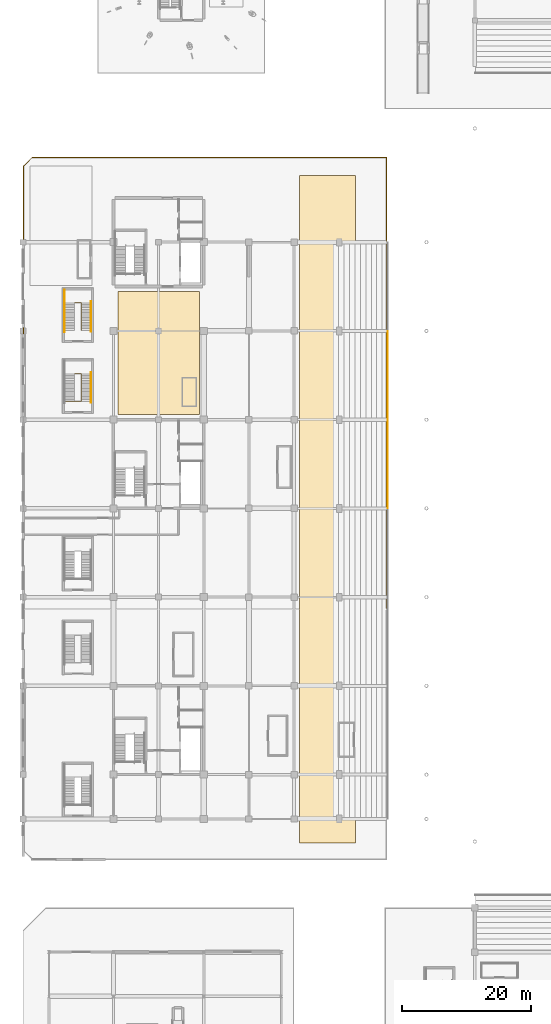
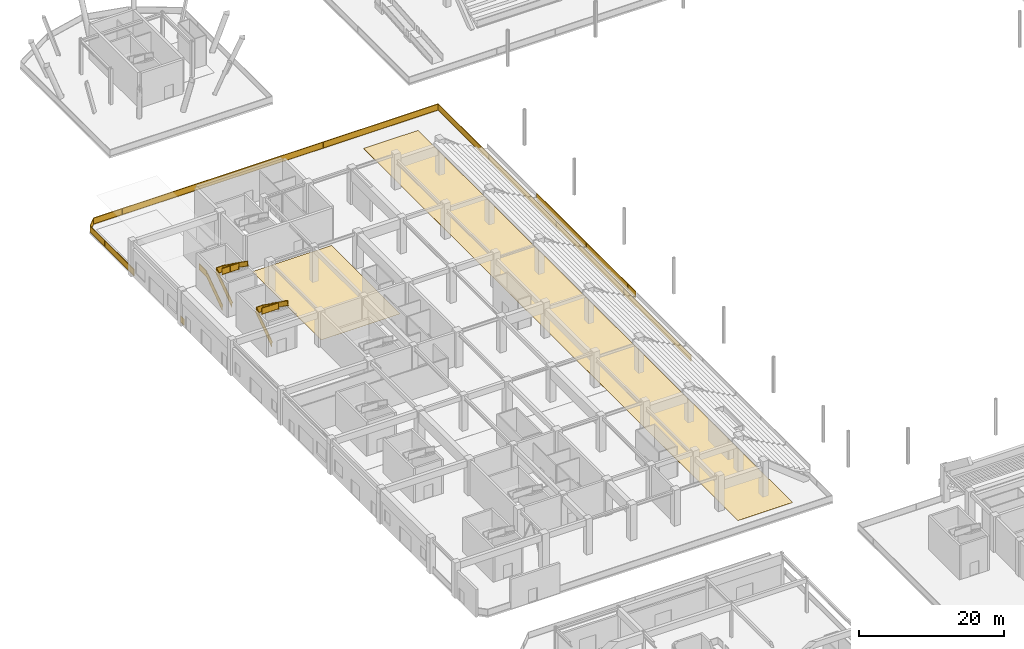
# One storey, part 62 of 73: 9 railings, 2 coverings.
"""IFC4 building model written with IfcOpenShell, lengths in metres."""

import ifcopenshell
import ifcopenshell.guid

model = None  # the IFC model being written
_history = None  # IfcOwnerHistory: only IFC2X3 demands one
_inside = {}  # id of a spatial element -> (the spatial element, [elements in it])
_under = {}  # id of a project, library or spatial element -> (it, [spatial elements below it])
_declared = {}  # id of a project -> (the project, [libraries it declares])
_typed = {}  # id of a type object -> (the type object, [elements of that type])
_made_of = {}  # id of a material, layer set ... -> (it, [elements and type objects made of it])


def new_model(schema):
    """Start an empty IFC model of exactly this schema.

    Asked for "IFC4X3", IfcOpenShell would pick the latest addendum, in which some entities
    have other attributes; the version numbers below select the first issue.
    IFC2X3 requires an IfcOwnerHistory on every rooted entity: one is made here for all.
    """
    global model, _history
    if schema == "IFC4X3":
        model = ifcopenshell.file(schema_version=(4, 3, 0, 0))
    else:
        model = ifcopenshell.file(schema=schema)
    _inside.clear()
    _under.clear()
    _declared.clear()
    _typed.clear()
    _made_of.clear()
    _history = None
    if model.schema == "IFC2X3":
        org = make("IfcOrganization", Name="unknown")
        user = make(
            "IfcPersonAndOrganization",
            ThePerson=make("IfcPerson", FamilyName="unknown"),
            TheOrganization=org,
        )
        app = make(
            "IfcApplication",
            ApplicationDeveloper=org,
            Version="unknown",
            ApplicationFullName="unknown",
            ApplicationIdentifier="unknown",
        )
        _history = make(
            "IfcOwnerHistory",
            OwningUser=user,
            OwningApplication=app,
            ChangeAction="ADDED",
            CreationDate=0,
        )
    return model


def make(cls, **values):
    """One entity of the class cls with the attributes given. An attribute that is None is left unset."""
    return model.create_entity(
        cls, **{name: value for name, value in values.items() if value is not None}
    )


def rooted(cls, **values):
    """An entity with a GlobalId (a new one), such as an element, a storey or a relation."""
    return make(cls, GlobalId=ifcopenshell.guid.new(), OwnerHistory=_history, **values)


def si_unit(unit_type, name, prefix=None):
    """IfcSIUnit, for example si_unit("LENGTHUNIT", "METRE", prefix="MILLI")."""
    return make("IfcSIUnit", UnitType=unit_type, Prefix=prefix, Name=name)


def assignment(units):
    """IfcUnitAssignment: the units of a project."""
    return None if units is None else make("IfcUnitAssignment", Units=units)


def point(xyz):
    """IfcCartesianPoint."""
    return None if xyz is None else make("IfcCartesianPoint", Coordinates=xyz)


def direction(xyz):
    """IfcDirection."""
    return None if xyz is None else make("IfcDirection", DirectionRatios=xyz)


def frame(location, z_axis=None, x_axis=None):
    """IfcAxis2Placement3D, a coordinate frame: its origin and axes. An axis left out is left unset."""
    return make(
        "IfcAxis2Placement3D",
        Location=point(location),
        Axis=direction(z_axis),
        RefDirection=direction(x_axis),
    )


def frame_2d(location, x_axis=None):
    """IfcAxis2Placement2D, a coordinate frame in the plane: its origin and x axis."""
    return make(
        "IfcAxis2Placement2D", Location=point(location), RefDirection=direction(x_axis)
    )


def origin():
    """The frame at (0, 0, 0) with its axes left unset."""
    return frame((0.0, 0.0, 0.0))


def origin_2d():
    """The frame at (0, 0) in the plane with its x axis left unset."""
    return frame_2d((0.0, 0.0))


def place(relative_to, where):
    """IfcLocalPlacement: puts the frame where relative to a parent placement (None: the world)."""
    return make(
        "IfcLocalPlacement", PlacementRelTo=relative_to, RelativePlacement=where
    )


def context(
    kind, dimensions, precision=None, world=None, true_north=None, identifier=None
):
    """IfcGeometricRepresentationContext, for example the 3D "Model" context."""
    return make(
        "IfcGeometricRepresentationContext",
        ContextIdentifier=identifier,
        ContextType=kind,
        CoordinateSpaceDimension=dimensions,
        Precision=precision,
        WorldCoordinateSystem=world,
        TrueNorth=true_north,
    )


def subcontext(parent, identifier, kind, view, scale=None):
    """IfcGeometricRepresentationSubContext, for example "Body" below "Model"."""
    return make(
        "IfcGeometricRepresentationSubContext",
        ContextIdentifier=identifier,
        ContextType=kind,
        ParentContext=parent,
        TargetScale=scale,
        TargetView=view,
    )


def project(units=None, contexts=None):
    """IfcProject with its units and contexts."""
    return rooted(
        "IfcProject",
        Name="project",
        RepresentationContexts=contexts,
        UnitsInContext=assignment(units),
    )


def spatial(cls, under=None, at=None, **own):
    """A site, building, storey or space (cls), placed at a placement, below another one or the project."""
    s = rooted(cls, ObjectPlacement=at, **own)
    if under is not None:
        _under.setdefault(under.id(), (under, []))[1].append(s)
    return s


def polyline(points):
    """IfcPolyline through the points."""
    return make("IfcPolyline", Points=[point(p) for p in points])


def profile(cls, at=None, kind="AREA", **sizes):
    """A parametric profile (cls). Its sizes go by their IFC names, for example OverallWidth=200.0."""
    return make(cls, ProfileType=kind, Position=at, **sizes)


def rectangle(**sizes):
    """IfcRectangleProfileDef."""
    return profile("IfcRectangleProfileDef", **sizes)


def outline(outer, holes=None, kind="AREA"):
    """IfcArbitraryClosedProfileDef: a profile drawn as a closed curve; with holes, ...WithVoids."""
    if holes is None:
        return make("IfcArbitraryClosedProfileDef", ProfileType=kind, OuterCurve=outer)
    return make(
        "IfcArbitraryProfileDefWithVoids",
        ProfileType=kind,
        OuterCurve=outer,
        InnerCurves=holes,
    )


def extrude(swept, where, along, depth):
    """IfcExtrudedAreaSolid: the profile swept, set in the frame where, extruded along a direction by depth."""
    return make(
        "IfcExtrudedAreaSolid",
        SweptArea=swept,
        Position=where,
        ExtrudedDirection=direction(along),
        Depth=depth,
    )


def shape(context_of_items, identifier, shape_type, items):
    """IfcShapeRepresentation: the items that make up one representation, for example the "Body"."""
    return make(
        "IfcShapeRepresentation",
        ContextOfItems=context_of_items,
        RepresentationIdentifier=identifier,
        RepresentationType=shape_type,
        Items=items,
    )


def material(Name=None, Category=None):
    """IfcMaterial."""
    return make("IfcMaterial", Name=Name, Category=Category)


def layer(
    of_material, thickness, ventilated=None, Name=None, Category=None, Priority=None
):
    """IfcMaterialLayer: one layer of a wall or slab, of a material (None: an air gap)."""
    return make(
        "IfcMaterialLayer",
        Material=of_material,
        LayerThickness=thickness,
        IsVentilated=ventilated,
        Name=Name,
        Category=Category,
        Priority=Priority,
    )


def layer_set(layers, Name=None):
    """IfcMaterialLayerSet."""
    return make("IfcMaterialLayerSet", MaterialLayers=layers, LayerSetName=Name)


def made_of(thing, what):
    """Note that an element or type object is made of a material, layer set ...; save() writes the relation."""
    if what is not None:
        _made_of.setdefault(what.id(), (what, []))[1].append(thing)
    return thing


def type_object(cls, material=None, **own):
    """A type object (cls), such as IfcWallType, which elements share."""
    return made_of(rooted(cls, **own), material)


def element(
    cls,
    number,
    at=None,
    inside=None,
    cuts=None,
    type_object=None,
    material=None,
    context=None,
    identifier="Body",
    shape_type=None,
    held_by="IfcProductDefinitionShape",
    body=None,
    shapes=None,
    **own,
):
    """One element of the class cls, such as IfcWall. Its Tag is "e" and its number.

    at: its placement. inside: the storey or other place that contains it. cuts: it is an
    opening in that element (IfcRelVoidsElement). A single representation is given by context,
    identifier, shape_type and body (its items); several are given by shapes. held_by: the class
    of the entity that holds the representations. save() writes the other relations.
    """
    e = rooted(cls, Tag="e%d" % number, ObjectPlacement=at, **own)
    if body is not None:
        shapes = [shape(context, identifier, shape_type, body)]
    if shapes is not None:
        e.Representation = make(held_by, Representations=shapes)
    if inside is not None:
        _inside.setdefault(inside.id(), (inside, []))[1].append(e)
    if cuts is not None:
        rooted(
            "IfcRelVoidsElement", RelatingBuildingElement=cuts, RelatedOpeningElement=e
        )
    if type_object is not None:
        _typed.setdefault(type_object.id(), (type_object, []))[1].append(e)
    return made_of(e, material)


def aggregate(whole, parts):
    """IfcRelAggregates: a whole, such as a stair, and the parts it consists of."""
    return rooted("IfcRelAggregates", RelatingObject=whole, RelatedObjects=parts)


def save(model, path):
    """Write the relations noted so far, then the file.

    IfcRelAggregates (storeys below a building ...), IfcRelContainedInSpatialStructure (elements
    in a storey), IfcRelDefinesByType, IfcRelAssociatesMaterial and IfcRelDeclares: one each for
    every whole, place, type object, material and project.
    """
    for whole, parts in _under.values():
        aggregate(whole, parts)
    for where, things in _inside.values():
        rooted(
            "IfcRelContainedInSpatialStructure",
            RelatedElements=things,
            RelatingStructure=where,
        )
    for kind, things in _typed.values():
        rooted("IfcRelDefinesByType", RelatedObjects=things, RelatingType=kind)
    for what, things in _made_of.values():
        rooted("IfcRelAssociatesMaterial", RelatedObjects=things, RelatingMaterial=what)
    for by, libraries in _declared.values():
        rooted("IfcRelDeclares", RelatingContext=by, RelatedDefinitions=libraries)
    model.write(path)


model = new_model("IFC4")

# Units and contexts
model_context = context("Model", 3, precision=1e-05, world=origin(), true_north=direction((0.0, 1.0)))
body_context = subcontext(model_context, "Body", "Model", "MODEL_VIEW")
ifc_project = project(units=[si_unit("LENGTHUNIT", "METRE"), si_unit("AREAUNIT", "SQUARE_METRE"), si_unit("VOLUMEUNIT", "CUBIC_METRE"), si_unit("PLANEANGLEUNIT", "RADIAN"), si_unit("MASSUNIT", "GRAM", prefix="KILO")], contexts=[model_context])

# Site, building, storey
site_placement = place(None, origin())
site = spatial("IfcSite", under=ifc_project, at=site_placement, CompositionType="ELEMENT")
building_placement = place(site_placement, origin())
building = spatial("IfcBuilding", under=site, at=building_placement, Name="Linyun Crest Stadium", CompositionType="ELEMENT")
storey_placement = place(building_placement, origin())
storey = spatial("IfcBuildingStorey", under=building, at=storey_placement, Name="L01", CompositionType="ELEMENT", Elevation=0.0)

# Coverings
ifc_material_1 = material(Name="Polymeric cushioned multi-sport athletic flooring")
ifc_layer = layer(ifc_material_1, 0.01806640625)
ifc_layer_set = layer_set([ifc_layer], Name="Polymeric cushioned multi-sport athletic flooring")
covering_type = type_object("IfcCoveringType", Name="FLR01", PredefinedType="FLOORING", material=ifc_layer_set)
covering_1_placement = place(storey_placement, origin())
element("IfcCovering", 1, at=covering_1_placement, inside=storey, type_object=covering_type, Name="Athletic flooring FLR01 10", PredefinedType="FLOORING", context=body_context, shape_type="SweptSolid", body=[
    extrude(outline(polyline([(-83.300048828125, 16.699951171875), (-70.699951171875, 16.699951171875), (-70.699951171875, 35.699951171875), (-83.300048828125, 35.699951171875), (-83.300048828125, 16.699951171875)])), origin(), (0.0, 0.0, 1.0), 0.01806640625),
])
covering_2_placement = place(storey_placement, origin())
element("IfcCovering", 2, at=covering_2_placement, inside=storey, type_object=covering_type, Name="Athletic flooring FLR01 65", PredefinedType="FLOORING", context=body_context, shape_type="SweptSolid", body=[
    extrude(outline(polyline([(-55.199951171875, -49.699951171875), (-46.5, -49.699951171875), (-46.5, 53.699951171875), (-55.199951171875, 53.699951171875), (-55.199951171875, -49.699951171875)])), origin(), (0.0, 0.0, 1.0), 0.01806640625),
])

# Railings
ifc_material_2 = material(Name="Galvanized and powder-coated steel bowl safety barrier", Category="steel")
railing_type_1 = type_object("IfcRailingType", Name="GR02", PredefinedType="GUARDRAIL", material=ifc_material_2)
for number, where, name in (
    (3, (-41.5, 2.205078125, 1.199951171875), "Bowl front safety guard GR02 33"),
    (4, (-41.5, 15.955078125, 1.199951171875), "Bowl front safety guard GR02 41"),
):
    element("IfcRailing", number, at=place(storey_placement, frame(where)), inside=storey, type_object=railing_type_1, Name=name, PredefinedType="GUARDRAIL", context=body_context, shape_type="SweptSolid", body=[
        extrude(rectangle(XDim=0.06005859375, YDim=0.06005859375, at=origin_2d()), frame((0.0, 0.0, 1.090087890625), z_axis=(0.0, 1.0, 0.0), x_axis=(-1.0, 0.0, 0.0)), (0.0, 0.0, 1.0), 13.58984375),
        extrude(rectangle(XDim=0.030029296875, YDim=1.0, at=origin_2d()), frame((0.0, 0.0, 0.56005859375), z_axis=(0.0, 1.0, 0.0), x_axis=(-1.0, 0.0, 0.0)), (0.0, 0.0, 1.0), 13.58984375),
        extrude(rectangle(XDim=0.06005859375, YDim=0.06005859375, at=origin_2d()), frame((0.0, 0.0, 0.030029296875), z_axis=(0.0, 1.0, 0.0), x_axis=(-1.0, 0.0, 0.0)), (0.0, 0.0, 1.0), 13.58984375),
        extrude(rectangle(XDim=0.050048828125, YDim=0.050048828125, at=origin_2d()), origin(), (0.0, 0.0, 1.0), 1.1201171875),
        extrude(rectangle(XDim=0.050048828125, YDim=0.050048828125, at=origin_2d()), frame((0.0, 2.264892578125, 0.0)), (0.0, 0.0, 1.0), 1.1201171875),
        extrude(rectangle(XDim=0.050048828125, YDim=0.050048828125, at=origin_2d()), frame((0.0, 4.530029296875, 0.0)), (0.0, 0.0, 1.0), 1.1201171875),
        extrude(rectangle(XDim=0.050048828125, YDim=0.050048828125, at=origin_2d()), frame((0.0, 6.794921875, 0.0)), (0.0, 0.0, 1.0), 1.1201171875),
        extrude(rectangle(XDim=0.050048828125, YDim=0.050048828125, at=origin_2d()), frame((0.0, 9.059814453125, 0.0)), (0.0, 0.0, 1.0), 1.1201171875),
        extrude(rectangle(XDim=0.050048828125, YDim=0.050048828125, at=origin_2d()), frame((0.0, 11.324951171875, 0.0)), (0.0, 0.0, 1.0), 1.1201171875),
        extrude(rectangle(XDim=0.050048828125, YDim=0.050048828125, at=origin_2d()), frame((0.0, 13.58984375, 0.0)), (0.0, 0.0, 1.0), 1.1201171875),
    ])
railing_1_placement = place(storey_placement, frame((-97.93994140625, 29.18505859375, 0.0)))
element("IfcRailing", 5, at=railing_1_placement, inside=storey, type_object=railing_type_1, Name="Slab edge balustrade GR02 12", PredefinedType="GUARDRAIL", context=body_context, shape_type="SweptSolid", body=[
    extrude(rectangle(XDim=0.06005859375, YDim=0.06005859375, at=origin_2d()), frame((0.0, 0.0, 1.090087890625), z_axis=(0.0, 1.0, 0.0), x_axis=(-1.0, 0.0, 0.0)), (0.0, 0.0, 1.0), 0.8798828125),
    extrude(rectangle(XDim=0.030029296875, YDim=1.0, at=origin_2d()), frame((0.0, 0.0, 0.56005859375), z_axis=(0.0, 1.0, 0.0), x_axis=(-1.0, 0.0, 0.0)), (0.0, 0.0, 1.0), 0.8798828125),
    extrude(rectangle(XDim=0.06005859375, YDim=0.06005859375, at=origin_2d()), frame((0.0, 0.0, 0.030029296875), z_axis=(0.0, 1.0, 0.0), x_axis=(-1.0, 0.0, 0.0)), (0.0, 0.0, 1.0), 0.8798828125),
    extrude(rectangle(XDim=0.050048828125, YDim=0.050048828125, at=origin_2d()), origin(), (0.0, 0.0, 1.0), 1.1201171875),
    extrude(rectangle(XDim=0.050048828125, YDim=0.050048828125, at=origin_2d()), frame((0.0, 0.8798828125, 0.0)), (0.0, 0.0, 1.0), 1.1201171875),
])
railing_2_placement = place(storey_placement, frame((-97.93994140625, 42.93505859375, 0.0)))
element("IfcRailing", 6, at=railing_2_placement, inside=storey, type_object=railing_type_1, Name="Slab edge balustrade GR02 13", PredefinedType="GUARDRAIL", context=body_context, shape_type="SweptSolid", body=[
    extrude(rectangle(XDim=0.06005859375, YDim=0.06005859375, at=origin_2d()), frame((0.0, 0.0, 1.090087890625), z_axis=(0.0, 1.0, 0.0), x_axis=(-1.0, 0.0, 0.0)), (0.0, 0.0, 1.0), 12.224853515625),
    extrude(rectangle(XDim=0.030029296875, YDim=1.0, at=origin_2d()), frame((0.0, 0.0, 0.56005859375), z_axis=(0.0, 1.0, 0.0), x_axis=(-1.0, 0.0, 0.0)), (0.0, 0.0, 1.0), 12.224853515625),
    extrude(rectangle(XDim=0.06005859375, YDim=0.06005859375, at=origin_2d()), frame((0.0, 0.0, 0.030029296875), z_axis=(0.0, 1.0, 0.0), x_axis=(-1.0, 0.0, 0.0)), (0.0, 0.0, 1.0), 12.224853515625),
    extrude(rectangle(XDim=0.06005859375, YDim=0.06005859375, at=origin_2d()), frame((0.0, 12.224853515625, 1.090087890625), z_axis=(0.707106781187, 0.707106781187, 0.0), x_axis=(-0.707106781187, 0.707106781187, 0.0)), (0.0, 0.0, 1.0), 1.930419921875),
    extrude(rectangle(XDim=0.030029296875, YDim=1.0, at=origin_2d()), frame((0.0, 12.224853515625, 0.56005859375), z_axis=(0.707106781187, 0.707106781187, 0.0), x_axis=(-0.707106781187, 0.707106781187, 0.0)), (0.0, 0.0, 1.0), 1.930419921875),
    extrude(rectangle(XDim=0.06005859375, YDim=0.06005859375, at=origin_2d()), frame((0.0, 12.224853515625, 0.030029296875), z_axis=(0.707106781187, 0.707106781187, 0.0), x_axis=(-0.707106781187, 0.707106781187, 0.0)), (0.0, 0.0, 1.0), 1.930419921875),
    extrude(rectangle(XDim=0.06005859375, YDim=0.06005859375, at=origin_2d()), frame((1.364990234375, 13.58984375, 1.090087890625), z_axis=(1.0, 0.0, 0.0), x_axis=(0.0, 1.0, 0.0)), (0.0, 0.0, 1.0), 54.9150390625),
    extrude(rectangle(XDim=0.030029296875, YDim=1.0, at=origin_2d()), frame((1.364990234375, 13.58984375, 0.56005859375), z_axis=(1.0, 0.0, 0.0), x_axis=(0.0, 1.0, 0.0)), (0.0, 0.0, 1.0), 54.9150390625),
    extrude(rectangle(XDim=0.06005859375, YDim=0.06005859375, at=origin_2d()), frame((1.364990234375, 13.58984375, 0.030029296875), z_axis=(1.0, 0.0, 0.0), x_axis=(0.0, 1.0, 0.0)), (0.0, 0.0, 1.0), 54.9150390625),
    extrude(rectangle(XDim=0.06005859375, YDim=0.06005859375, at=origin_2d()), frame((56.280029296875, 13.58984375, 1.090087890625), z_axis=(0.0, -1.0, 0.0), x_axis=(1.0, 0.0, 0.0)), (0.0, 0.0, 1.0), 69.85498046875),
    extrude(rectangle(XDim=0.030029296875, YDim=1.0, at=origin_2d()), frame((56.280029296875, 13.58984375, 0.56005859375), z_axis=(0.0, -1.0, 0.0), x_axis=(1.0, 0.0, 0.0)), (0.0, 0.0, 1.0), 69.85498046875),
    extrude(rectangle(XDim=0.06005859375, YDim=0.06005859375, at=origin_2d()), frame((56.280029296875, 13.58984375, 0.030029296875), z_axis=(0.0, -1.0, 0.0), x_axis=(1.0, 0.0, 0.0)), (0.0, 0.0, 1.0), 69.85498046875),
    extrude(rectangle(XDim=0.050048828125, YDim=0.050048828125, at=origin_2d()), origin(), (0.0, 0.0, 1.0), 1.1201171875),
    extrude(rectangle(XDim=0.050048828125, YDim=0.050048828125, at=origin_2d()), frame((0.0, 4.074951171875, 0.0)), (0.0, 0.0, 1.0), 1.1201171875),
    extrude(rectangle(XDim=0.050048828125, YDim=0.050048828125, at=origin_2d()), frame((0.0, 8.14990234375, 0.0)), (0.0, 0.0, 1.0), 1.1201171875),
    extrude(rectangle(XDim=0.050048828125, YDim=0.050048828125, at=origin_2d()), frame((0.0, 12.224853515625, 0.0)), (0.0, 0.0, 1.0), 1.1201171875),
    extrude(rectangle(XDim=0.050048828125, YDim=0.050048828125, at=origin_2d()), frame((1.364990234375, 13.58984375, 0.0)), (0.0, 0.0, 1.0), 1.1201171875),
    extrude(rectangle(XDim=0.050048828125, YDim=0.050048828125, at=origin_2d()), frame((5.941162109375, 13.58984375, 0.0)), (0.0, 0.0, 1.0), 1.1201171875),
    extrude(rectangle(XDim=0.050048828125, YDim=0.050048828125, at=origin_2d()), frame((10.517578125, 13.58984375, 0.0)), (0.0, 0.0, 1.0), 1.1201171875),
    extrude(rectangle(XDim=0.050048828125, YDim=0.050048828125, at=origin_2d()), frame((15.09375, 13.58984375, 0.0)), (0.0, 0.0, 1.0), 1.1201171875),
    extrude(rectangle(XDim=0.050048828125, YDim=0.050048828125, at=origin_2d()), frame((19.669921875, 13.58984375, 0.0)), (0.0, 0.0, 1.0), 1.1201171875),
    extrude(rectangle(XDim=0.050048828125, YDim=0.050048828125, at=origin_2d()), frame((24.246337890625, 13.58984375, 0.0)), (0.0, 0.0, 1.0), 1.1201171875),
    extrude(rectangle(XDim=0.050048828125, YDim=0.050048828125, at=origin_2d()), frame((28.822509765625, 13.58984375, 0.0)), (0.0, 0.0, 1.0), 1.1201171875),
    extrude(rectangle(XDim=0.050048828125, YDim=0.050048828125, at=origin_2d()), frame((33.398681640625, 13.58984375, 0.0)), (0.0, 0.0, 1.0), 1.1201171875),
    extrude(rectangle(XDim=0.050048828125, YDim=0.050048828125, at=origin_2d()), frame((37.97509765625, 13.58984375, 0.0)), (0.0, 0.0, 1.0), 1.1201171875),
    extrude(rectangle(XDim=0.050048828125, YDim=0.050048828125, at=origin_2d()), frame((42.55126953125, 13.58984375, 0.0)), (0.0, 0.0, 1.0), 1.1201171875),
    extrude(rectangle(XDim=0.050048828125, YDim=0.050048828125, at=origin_2d()), frame((47.12744140625, 13.58984375, 0.0)), (0.0, 0.0, 1.0), 1.1201171875),
    extrude(rectangle(XDim=0.050048828125, YDim=0.050048828125, at=origin_2d()), frame((51.703857421875, 13.58984375, 0.0)), (0.0, 0.0, 1.0), 1.1201171875),
    extrude(rectangle(XDim=0.050048828125, YDim=0.050048828125, at=origin_2d()), frame((56.280029296875, 13.58984375, 0.0)), (0.0, 0.0, 1.0), 1.1201171875),
    extrude(rectangle(XDim=0.050048828125, YDim=0.050048828125, at=origin_2d()), frame((56.280029296875, 8.932861328125, 0.0)), (0.0, 0.0, 1.0), 1.1201171875),
    extrude(rectangle(XDim=0.050048828125, YDim=0.050048828125, at=origin_2d()), frame((56.280029296875, 4.27587890625, 0.0)), (0.0, 0.0, 1.0), 1.1201171875),
    extrude(rectangle(XDim=0.050048828125, YDim=0.050048828125, at=origin_2d()), frame((56.280029296875, -0.381103515625, 0.0)), (0.0, 0.0, 1.0), 1.1201171875),
    extrude(rectangle(XDim=0.050048828125, YDim=0.050048828125, at=origin_2d()), frame((56.280029296875, -5.0380859375, 0.0)), (0.0, 0.0, 1.0), 1.1201171875),
    extrude(rectangle(XDim=0.050048828125, YDim=0.050048828125, at=origin_2d()), frame((56.280029296875, -9.695068359375, 0.0)), (0.0, 0.0, 1.0), 1.1201171875),
    extrude(rectangle(XDim=0.050048828125, YDim=0.050048828125, at=origin_2d()), frame((56.280029296875, -14.35205078125, 0.0)), (0.0, 0.0, 1.0), 1.1201171875),
    extrude(rectangle(XDim=0.050048828125, YDim=0.050048828125, at=origin_2d()), frame((56.280029296875, -19.009033203125, 0.0)), (0.0, 0.0, 1.0), 1.1201171875),
    extrude(rectangle(XDim=0.050048828125, YDim=0.050048828125, at=origin_2d()), frame((56.280029296875, -23.666259765625, 0.0)), (0.0, 0.0, 1.0), 1.1201171875),
    extrude(rectangle(XDim=0.050048828125, YDim=0.050048828125, at=origin_2d()), frame((56.280029296875, -28.3232421875, 0.0)), (0.0, 0.0, 1.0), 1.1201171875),
    extrude(rectangle(XDim=0.050048828125, YDim=0.050048828125, at=origin_2d()), frame((56.280029296875, -32.980224609375, 0.0)), (0.0, 0.0, 1.0), 1.1201171875),
    extrude(rectangle(XDim=0.050048828125, YDim=0.050048828125, at=origin_2d()), frame((56.280029296875, -37.63720703125, 0.0)), (0.0, 0.0, 1.0), 1.1201171875),
    extrude(rectangle(XDim=0.050048828125, YDim=0.050048828125, at=origin_2d()), frame((56.280029296875, -42.294189453125, 0.0)), (0.0, 0.0, 1.0), 1.1201171875),
    extrude(rectangle(XDim=0.050048828125, YDim=0.050048828125, at=origin_2d()), frame((56.280029296875, -46.951171875, 0.0)), (0.0, 0.0, 1.0), 1.1201171875),
    extrude(rectangle(XDim=0.050048828125, YDim=0.050048828125, at=origin_2d()), frame((56.280029296875, -51.608154296875, 0.0)), (0.0, 0.0, 1.0), 1.1201171875),
    extrude(rectangle(XDim=0.050048828125, YDim=0.050048828125, at=origin_2d()), frame((56.280029296875, -56.26513671875, 0.0)), (0.0, 0.0, 1.0), 1.1201171875),
])
ifc_material_3 = material(Name="Painted steel stairwell safety guard", Category="steel")
railing_type_2 = type_object("IfcRailingType", Name="GR03", PredefinedType="GUARDRAIL", material=ifc_material_3)
railing_3_placement = place(storey_placement, frame((-90.030029296875, 18.699951171875, 0.0)))
element("IfcRailing", 7, at=railing_3_placement, inside=storey, type_object=railing_type_2, Name="STR-16-L01 inner well guard", PredefinedType="GUARDRAIL", context=body_context, shape_type="SweptSolid", body=[
    extrude(rectangle(XDim=0.06005859375, YDim=0.06005859375, at=origin_2d()), frame((0.0, 0.0, 1.090087890625), z_axis=(0.0, 0.818241657069, 0.574874412926), x_axis=(-1.0, 0.0, 0.0)), (0.0, 0.0, 1.0), 5.218505859375),
    extrude(rectangle(XDim=0.030029296875, YDim=1.0, at=origin_2d()), frame((0.0, 0.0, 0.56005859375), z_axis=(0.0, 0.818241657069, 0.574874412926), x_axis=(-1.0, 0.0, 0.0)), (0.0, 0.0, 1.0), 5.218505859375),
    extrude(rectangle(XDim=0.06005859375, YDim=0.06005859375, at=origin_2d()), frame((0.0, 0.0, 0.030029296875), z_axis=(0.0, 0.818241657069, 0.574874412926), x_axis=(-1.0, 0.0, 0.0)), (0.0, 0.0, 1.0), 5.218505859375),
    extrude(rectangle(XDim=0.06005859375, YDim=0.06005859375, at=origin_2d()), frame((0.0, 4.27001953125, 4.090087890625), z_axis=(1.0, 0.0, 0.0), x_axis=(0.0, 1.0, 0.0)), (0.0, 0.0, 1.0), 1.06005859375),
    extrude(rectangle(XDim=0.030029296875, YDim=1.0, at=origin_2d()), frame((0.0, 4.27001953125, 3.56005859375), z_axis=(1.0, 0.0, 0.0), x_axis=(0.0, 1.0, 0.0)), (0.0, 0.0, 1.0), 1.06005859375),
    extrude(rectangle(XDim=0.06005859375, YDim=0.06005859375, at=origin_2d()), frame((0.0, 4.27001953125, 3.030029296875), z_axis=(1.0, 0.0, 0.0), x_axis=(0.0, 1.0, 0.0)), (0.0, 0.0, 1.0), 1.06005859375),
    extrude(rectangle(XDim=0.06005859375, YDim=0.06005859375, at=origin_2d()), frame((1.06005859375, 4.27001953125, 4.090087890625), z_axis=(0.0, -0.818241657069, 0.574874412926), x_axis=(1.0, 0.0, 0.0)), (0.0, 0.0, 1.0), 5.218505859375),
    extrude(rectangle(XDim=0.030029296875, YDim=1.0, at=origin_2d()), frame((1.06005859375, 4.27001953125, 3.56005859375), z_axis=(0.0, -0.818241657069, 0.574874412926), x_axis=(1.0, 0.0, 0.0)), (0.0, 0.0, 1.0), 5.218505859375),
    extrude(rectangle(XDim=0.06005859375, YDim=0.06005859375, at=origin_2d()), frame((1.06005859375, 4.27001953125, 3.030029296875), z_axis=(0.0, -0.818241657069, 0.574874412926), x_axis=(1.0, 0.0, 0.0)), (0.0, 0.0, 1.0), 5.218505859375),
    extrude(rectangle(XDim=0.06005859375, YDim=0.06005859375, at=origin_2d()), frame((1.06005859375, 0.0, 7.090087890625), z_axis=(-1.0, 0.0, 0.0), x_axis=(0.0, -1.0, 0.0)), (0.0, 0.0, 1.0), 2.610107421875),
    extrude(rectangle(XDim=0.030029296875, YDim=1.0, at=origin_2d()), frame((1.06005859375, 0.0, 6.56005859375), z_axis=(-1.0, 0.0, 0.0), x_axis=(0.0, -1.0, 0.0)), (0.0, 0.0, 1.0), 2.610107421875),
    extrude(rectangle(XDim=0.06005859375, YDim=0.06005859375, at=origin_2d()), frame((1.06005859375, 0.0, 6.030029296875), z_axis=(-1.0, 0.0, 0.0), x_axis=(0.0, -1.0, 0.0)), (0.0, 0.0, 1.0), 2.610107421875),
    extrude(rectangle(XDim=0.050048828125, YDim=0.050048828125, at=origin_2d()), origin(), (0.0, 0.0, 1.0), 1.1201171875),
    extrude(rectangle(XDim=0.050048828125, YDim=0.050048828125, at=origin_2d()), frame((0.0, 1.42333984375, 1.0)), (0.0, 0.0, 1.0), 1.1201171875),
    extrude(rectangle(XDim=0.050048828125, YDim=0.050048828125, at=origin_2d()), frame((0.0, 2.8466796875, 2.0)), (0.0, 0.0, 1.0), 1.1201171875),
    extrude(rectangle(XDim=0.050048828125, YDim=0.050048828125, at=origin_2d()), frame((0.0, 4.27001953125, 3.0)), (0.0, 0.0, 1.0), 1.1201171875),
    extrude(rectangle(XDim=0.050048828125, YDim=0.050048828125, at=origin_2d()), frame((1.06005859375, 4.27001953125, 3.0)), (0.0, 0.0, 1.0), 1.1201171875),
    extrude(rectangle(XDim=0.050048828125, YDim=0.050048828125, at=origin_2d()), frame((1.06005859375, 2.8466796875, 4.0)), (0.0, 0.0, 1.0), 1.1201171875),
    extrude(rectangle(XDim=0.050048828125, YDim=0.050048828125, at=origin_2d()), frame((1.06005859375, 1.42333984375, 5.0)), (0.0, 0.0, 1.0), 1.1201171875),
    extrude(rectangle(XDim=0.050048828125, YDim=0.050048828125, at=origin_2d()), frame((1.06005859375, 0.0, 6.0)), (0.0, 0.0, 1.0), 1.1201171875),
    extrude(rectangle(XDim=0.050048828125, YDim=0.050048828125, at=origin_2d()), frame((-0.2451171875, 0.0, 6.0)), (0.0, 0.0, 1.0), 1.1201171875),
    extrude(rectangle(XDim=0.050048828125, YDim=0.050048828125, at=origin_2d()), frame((-1.550048828125, 0.0, 6.0)), (0.0, 0.0, 1.0), 1.1201171875),
])
railing_4_placement = place(storey_placement, frame((-91.570068359375, 29.719970703125, 0.0)))
element("IfcRailing", 8, at=railing_4_placement, inside=storey, type_object=railing_type_2, Name="STR-17-L01 outer guard", PredefinedType="GUARDRAIL", context=body_context, shape_type="SweptSolid", body=[
    extrude(rectangle(XDim=0.06005859375, YDim=0.06005859375, at=origin_2d()), frame((0.0, 0.0, 1.090087890625), z_axis=(0.0, 0.816967863265, 0.576683197599), x_axis=(-1.0, 0.0, 0.0)), (0.0, 0.0, 1.0), 5.2021484375),
    extrude(rectangle(XDim=0.030029296875, YDim=1.0, at=origin_2d()), frame((0.0, 0.0, 0.56005859375), z_axis=(0.0, 0.816967863265, 0.576683197599), x_axis=(-1.0, 0.0, 0.0)), (0.0, 0.0, 1.0), 5.2021484375),
    extrude(rectangle(XDim=0.06005859375, YDim=0.06005859375, at=origin_2d()), frame((0.0, 0.0, 0.030029296875), z_axis=(0.0, 0.816967863265, 0.576683197599), x_axis=(-1.0, 0.0, 0.0)), (0.0, 0.0, 1.0), 5.2021484375),
    extrude(rectangle(XDim=0.06005859375, YDim=0.06005859375, at=origin_2d()), frame((0.0, 4.25, 4.090087890625), z_axis=(0.0, 1.0, 0.0), x_axis=(-1.0, 0.0, 0.0)), (0.0, 0.0, 1.0), 2.0),
    extrude(rectangle(XDim=0.030029296875, YDim=1.0, at=origin_2d()), frame((0.0, 4.25, 3.56005859375), z_axis=(0.0, 1.0, 0.0), x_axis=(-1.0, 0.0, 0.0)), (0.0, 0.0, 1.0), 2.0),
    extrude(rectangle(XDim=0.06005859375, YDim=0.06005859375, at=origin_2d()), frame((0.0, 4.25, 3.030029296875), z_axis=(0.0, 1.0, 0.0), x_axis=(-1.0, 0.0, 0.0)), (0.0, 0.0, 1.0), 2.0),
    extrude(rectangle(XDim=0.050048828125, YDim=0.050048828125, at=origin_2d()), origin(), (0.0, 0.0, 1.0), 1.1201171875),
    extrude(rectangle(XDim=0.050048828125, YDim=0.050048828125, at=origin_2d()), frame((0.0, 1.416748046875, 1.0)), (0.0, 0.0, 1.0), 1.1201171875),
    extrude(rectangle(XDim=0.050048828125, YDim=0.050048828125, at=origin_2d()), frame((0.0, 2.833251953125, 2.0)), (0.0, 0.0, 1.0), 1.1201171875),
    extrude(rectangle(XDim=0.050048828125, YDim=0.050048828125, at=origin_2d()), frame((0.0, 4.25, 3.0)), (0.0, 0.0, 1.0), 1.1201171875),
    extrude(rectangle(XDim=0.050048828125, YDim=0.050048828125, at=origin_2d()), frame((0.0, 6.25, 3.0)), (0.0, 0.0, 1.0), 1.1201171875),
])
railing_5_placement = place(storey_placement, frame((-90.030029296875, 29.699951171875, 0.0)))
element("IfcRailing", 9, at=railing_5_placement, inside=storey, type_object=railing_type_2, Name="STR-17-L01 inner well guard", PredefinedType="GUARDRAIL", context=body_context, shape_type="SweptSolid", body=[
    extrude(rectangle(XDim=0.06005859375, YDim=0.06005859375, at=origin_2d()), frame((0.0, 0.0, 1.090087890625), z_axis=(0.0, 0.818241657069, 0.574874412926), x_axis=(-1.0, 0.0, 0.0)), (0.0, 0.0, 1.0), 5.218505859375),
    extrude(rectangle(XDim=0.030029296875, YDim=1.0, at=origin_2d()), frame((0.0, 0.0, 0.56005859375), z_axis=(0.0, 0.818241657069, 0.574874412926), x_axis=(-1.0, 0.0, 0.0)), (0.0, 0.0, 1.0), 5.218505859375),
    extrude(rectangle(XDim=0.06005859375, YDim=0.06005859375, at=origin_2d()), frame((0.0, 0.0, 0.030029296875), z_axis=(0.0, 0.818241657069, 0.574874412926), x_axis=(-1.0, 0.0, 0.0)), (0.0, 0.0, 1.0), 5.218505859375),
    extrude(rectangle(XDim=0.06005859375, YDim=0.06005859375, at=origin_2d()), frame((0.0, 4.27001953125, 4.090087890625), z_axis=(1.0, 0.0, 0.0), x_axis=(0.0, 1.0, 0.0)), (0.0, 0.0, 1.0), 1.06005859375),
    extrude(rectangle(XDim=0.030029296875, YDim=1.0, at=origin_2d()), frame((0.0, 4.27001953125, 3.56005859375), z_axis=(1.0, 0.0, 0.0), x_axis=(0.0, 1.0, 0.0)), (0.0, 0.0, 1.0), 1.06005859375),
    extrude(rectangle(XDim=0.06005859375, YDim=0.06005859375, at=origin_2d()), frame((0.0, 4.27001953125, 3.030029296875), z_axis=(1.0, 0.0, 0.0), x_axis=(0.0, 1.0, 0.0)), (0.0, 0.0, 1.0), 1.06005859375),
    extrude(rectangle(XDim=0.06005859375, YDim=0.06005859375, at=origin_2d()), frame((1.06005859375, 4.27001953125, 4.090087890625), z_axis=(0.0, -0.818241657069, 0.574874412926), x_axis=(1.0, 0.0, 0.0)), (0.0, 0.0, 1.0), 5.218505859375),
    extrude(rectangle(XDim=0.030029296875, YDim=1.0, at=origin_2d()), frame((1.06005859375, 4.27001953125, 3.56005859375), z_axis=(0.0, -0.818241657069, 0.574874412926), x_axis=(1.0, 0.0, 0.0)), (0.0, 0.0, 1.0), 5.218505859375),
    extrude(rectangle(XDim=0.06005859375, YDim=0.06005859375, at=origin_2d()), frame((1.06005859375, 4.27001953125, 3.030029296875), z_axis=(0.0, -0.818241657069, 0.574874412926), x_axis=(1.0, 0.0, 0.0)), (0.0, 0.0, 1.0), 5.218505859375),
    extrude(rectangle(XDim=0.06005859375, YDim=0.06005859375, at=origin_2d()), frame((1.06005859375, 0.0, 7.090087890625), z_axis=(-1.0, 0.0, 0.0), x_axis=(0.0, -1.0, 0.0)), (0.0, 0.0, 1.0), 2.610107421875),
    extrude(rectangle(XDim=0.030029296875, YDim=1.0, at=origin_2d()), frame((1.06005859375, 0.0, 6.56005859375), z_axis=(-1.0, 0.0, 0.0), x_axis=(0.0, -1.0, 0.0)), (0.0, 0.0, 1.0), 2.610107421875),
    extrude(rectangle(XDim=0.06005859375, YDim=0.06005859375, at=origin_2d()), frame((1.06005859375, 0.0, 6.030029296875), z_axis=(-1.0, 0.0, 0.0), x_axis=(0.0, -1.0, 0.0)), (0.0, 0.0, 1.0), 2.610107421875),
    extrude(rectangle(XDim=0.050048828125, YDim=0.050048828125, at=origin_2d()), origin(), (0.0, 0.0, 1.0), 1.1201171875),
    extrude(rectangle(XDim=0.050048828125, YDim=0.050048828125, at=origin_2d()), frame((0.0, 1.42333984375, 1.0)), (0.0, 0.0, 1.0), 1.1201171875),
    extrude(rectangle(XDim=0.050048828125, YDim=0.050048828125, at=origin_2d()), frame((0.0, 2.8466796875, 2.0)), (0.0, 0.0, 1.0), 1.1201171875),
    extrude(rectangle(XDim=0.050048828125, YDim=0.050048828125, at=origin_2d()), frame((0.0, 4.27001953125, 3.0)), (0.0, 0.0, 1.0), 1.1201171875),
    extrude(rectangle(XDim=0.050048828125, YDim=0.050048828125, at=origin_2d()), frame((1.06005859375, 4.27001953125, 3.0)), (0.0, 0.0, 1.0), 1.1201171875),
    extrude(rectangle(XDim=0.050048828125, YDim=0.050048828125, at=origin_2d()), frame((1.06005859375, 2.8466796875, 4.0)), (0.0, 0.0, 1.0), 1.1201171875),
    extrude(rectangle(XDim=0.050048828125, YDim=0.050048828125, at=origin_2d()), frame((1.06005859375, 1.42333984375, 5.0)), (0.0, 0.0, 1.0), 1.1201171875),
    extrude(rectangle(XDim=0.050048828125, YDim=0.050048828125, at=origin_2d()), frame((1.06005859375, 0.0, 6.0)), (0.0, 0.0, 1.0), 1.1201171875),
    extrude(rectangle(XDim=0.050048828125, YDim=0.050048828125, at=origin_2d()), frame((-0.2451171875, 0.0, 6.0)), (0.0, 0.0, 1.0), 1.1201171875),
    extrude(rectangle(XDim=0.050048828125, YDim=0.050048828125, at=origin_2d()), frame((-1.550048828125, 0.0, 6.0)), (0.0, 0.0, 1.0), 1.1201171875),
])
ifc_material_4 = material(Name="Brushed stainless steel tubular handrail", Category="steel")
railing_type_3 = type_object("IfcRailingType", Name="HR01", PredefinedType="HANDRAIL", material=ifc_material_4)
for number, where, name in (
    (10, (-87.47998046875, 22.969970703125, 3.0), "STR-16-L01 handrail"),
    (11, (-87.47998046875, 33.969970703125, 3.0), "STR-17-L01 handrail"),
):
    element("IfcRailing", number, at=place(storey_placement, frame(where)), inside=storey, type_object=railing_type_3, Name=name, PredefinedType="HANDRAIL", context=body_context, shape_type="SweptSolid", body=[
        extrude(rectangle(XDim=0.06005859375, YDim=0.06005859375, at=origin_2d()), frame((0.0, 0.0, 0.889892578125), z_axis=(0.0, -0.816967863265, 0.576683197599), x_axis=(1.0, 0.0, 0.0)), (0.0, 0.0, 1.0), 5.2021484375),
        extrude(rectangle(XDim=0.030029296875, YDim=0.7998046875, at=origin_2d()), frame((0.0, 0.0, 0.4599609375), z_axis=(0.0, -0.816967863265, 0.576683197599), x_axis=(1.0, 0.0, 0.0)), (0.0, 0.0, 1.0), 5.2021484375),
        extrude(rectangle(XDim=0.06005859375, YDim=0.06005859375, at=origin_2d()), frame((0.0, 0.0, 0.030029296875), z_axis=(0.0, -0.816967863265, 0.576683197599), x_axis=(1.0, 0.0, 0.0)), (0.0, 0.0, 1.0), 5.2021484375),
        extrude(rectangle(XDim=0.050048828125, YDim=0.050048828125, at=origin_2d()), origin(), (0.0, 0.0, 1.0), 0.919921875),
        extrude(rectangle(XDim=0.050048828125, YDim=0.050048828125, at=origin_2d()), frame((0.0, -1.416748046875, 1.0)), (0.0, 0.0, 1.0), 0.919921875),
        extrude(rectangle(XDim=0.050048828125, YDim=0.050048828125, at=origin_2d()), frame((0.0, -2.833251953125, 2.0)), (0.0, 0.0, 1.0), 0.919921875),
        extrude(rectangle(XDim=0.050048828125, YDim=0.050048828125, at=origin_2d()), frame((0.0, -4.25, 3.0)), (0.0, 0.0, 1.0), 0.919921875),
    ])

save(model, "model.ifc")
